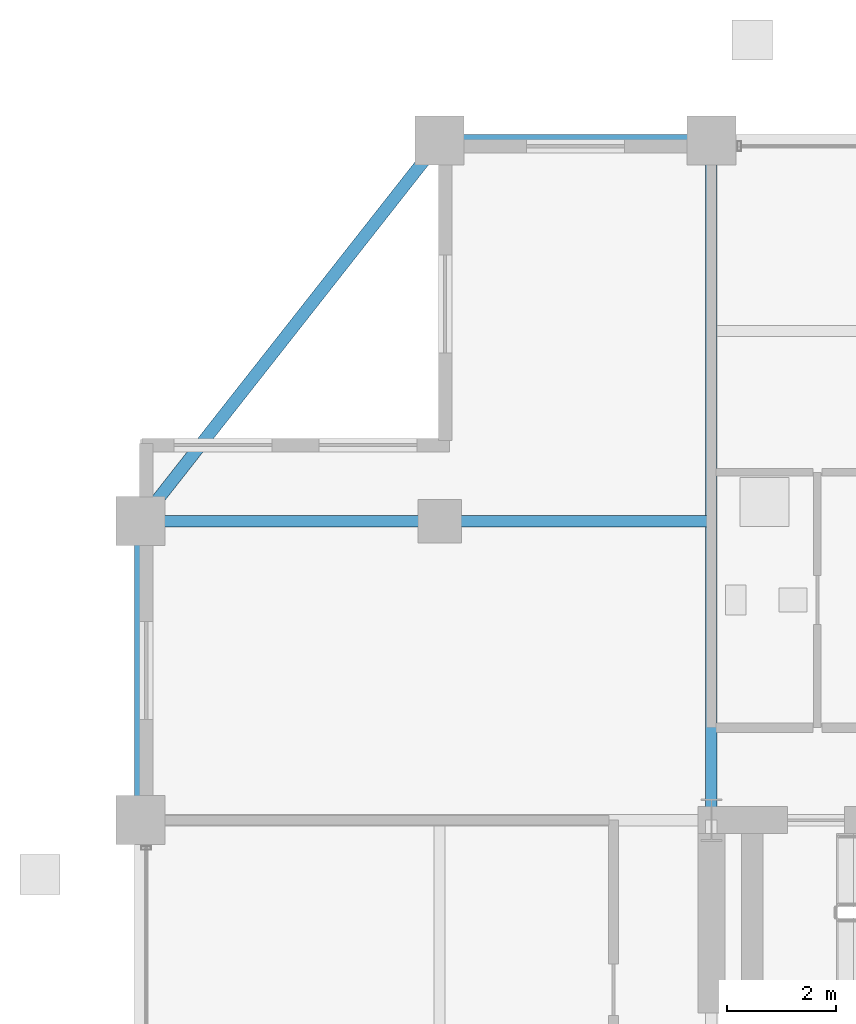
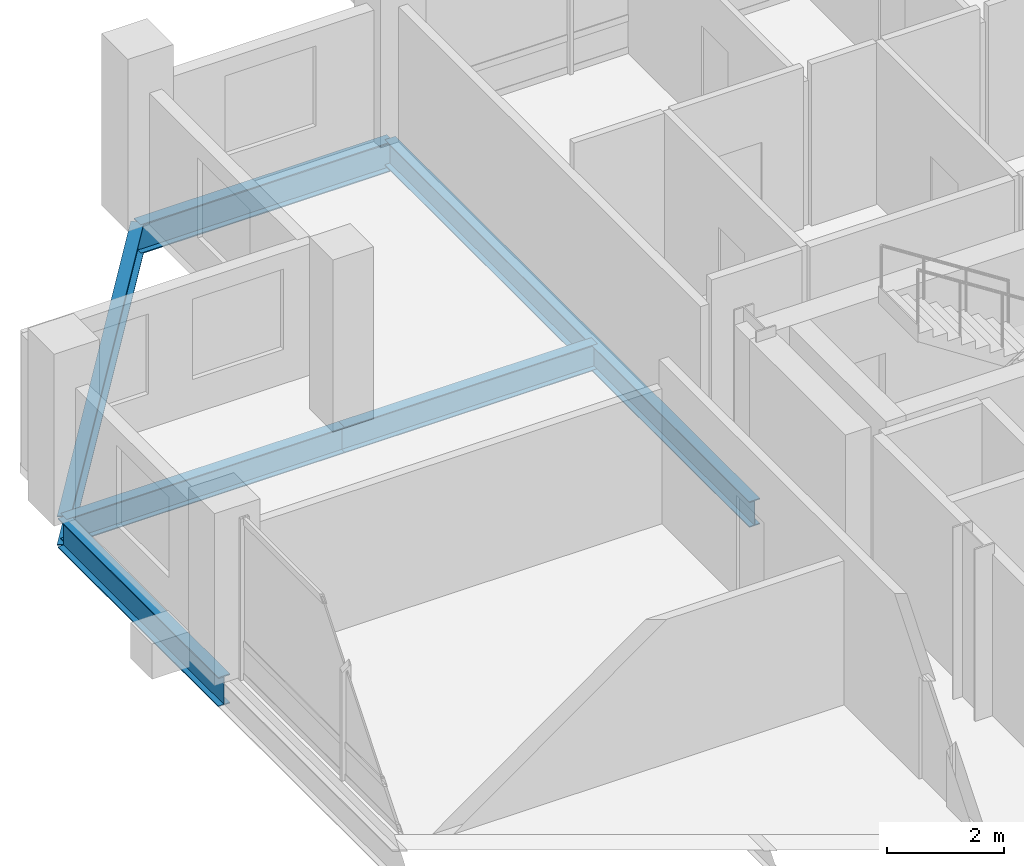
# One storey, part 11 of 21: 6 beams.
"""IFC4 building model written with IfcOpenShell, lengths in metres."""

from ifc_helpers import new_model, si_unit, direction, frame, origin, origin_2d, place, context, subcontext, project, spatial, i_section, extrude, material, material_profile, profile_set, type_object, element, save


model = new_model("IFC4")

# Units and contexts
model_context = context("Model", 3, precision=1e-05, world=origin(), true_north=direction((0.0, 1.0)))
body_context = subcontext(model_context, "Body", "Model", "MODEL_VIEW")
ifc_project = project(units=[si_unit("LENGTHUNIT", "METRE"), si_unit("AREAUNIT", "SQUARE_METRE"), si_unit("VOLUMEUNIT", "CUBIC_METRE"), si_unit("PLANEANGLEUNIT", "RADIAN"), si_unit("MASSUNIT", "GRAM", prefix="KILO")], contexts=[model_context])

# Site, building, storey
site_placement = place(None, origin())
site = spatial("IfcSite", under=ifc_project, at=site_placement, CompositionType="ELEMENT")
building_placement = place(site_placement, origin())
building = spatial("IfcBuilding", under=site, at=building_placement, Name="Barlavira Tower and Art Museum", CompositionType="ELEMENT")
storey_placement = place(building_placement, frame((0.0, 0.0, 276.300048828125)))
storey = spatial("IfcBuildingStorey", under=building, at=storey_placement, Name="L72", CompositionType="ELEMENT", Elevation=276.300048828125)

# Beams
ifc_material = material(Name="Steel S355", Category="steel")
ifc_material_profile_1 = material_profile(ifc_material, i_section(OverallWidth=0.22998046875, OverallDepth=0.616943359375, WebThickness=0.01318359375, FlangeThickness=0.022216796875, at=origin_2d()), Name="W610x140.0")
ifc_profile_set_1 = profile_set([ifc_material_profile_1], Name="Steel S355")
beam_type_1 = type_object("IfcBeamType", Name="Upper Shaft Spandrel Edge Beam W610x140 Steel S355", PredefinedType="SPANDREL", material=ifc_profile_set_1)
beam_1_placement = place(storey_placement, frame((-11.5, 20.0, -0.528564453125), z_axis=(1.0, 0.0, 0.0), x_axis=(0.0, 1.0, 0.0)))
element("IfcBeam", 1, at=beam_1_placement, inside=storey, type_object=beam_type_1, Name="L72 Spandrel 11", PredefinedType="SPANDREL", context=body_context, shape_type="SweptSolid", body=[
    extrude(i_section(OverallWidth=0.22998046875, OverallDepth=0.616943359375, WebThickness=0.01318359375, FlangeThickness=0.022216796875, at=origin_2d()), origin(), (0.0, 0.0, 1.0), 5.0),
])
beam_2_placement = place(storey_placement, frame((-11.5, 20.0, -0.528564453125), z_axis=(-0.617821551932, -0.786318338822, 0.0), x_axis=(0.786318338822, -0.617821551932, 0.0)))
element("IfcBeam", 2, at=beam_2_placement, inside=storey, type_object=beam_type_1, Name="L72 Spandrel 12", PredefinedType="SPANDREL", context=body_context, shape_type="SweptSolid", body=[
    extrude(i_section(OverallWidth=0.22998046875, OverallDepth=0.616943359375, WebThickness=0.01318359375, FlangeThickness=0.022216796875, at=origin_2d()), origin(), (0.0, 0.0, 1.0), 8.90234375),
])
beam_3_placement = place(storey_placement, frame((-17.0, 7.5, -0.528564453125), z_axis=(0.0, 1.0, 0.0), x_axis=(-1.0, 0.0, 0.0)))
element("IfcBeam", 3, at=beam_3_placement, inside=storey, type_object=beam_type_1, Name="L72 Spandrel 13", PredefinedType="SPANDREL", context=body_context, shape_type="SweptSolid", body=[
    extrude(i_section(OverallWidth=0.22998046875, OverallDepth=0.616943359375, WebThickness=0.01318359375, FlangeThickness=0.022216796875, at=origin_2d()), origin(), (0.0, 0.0, 1.0), 5.5),
])
ifc_material_profile_2 = material_profile(ifc_material, i_section(OverallWidth=0.2109375, OverallDepth=0.5390625, WebThickness=0.01171875, FlangeThickness=0.018798828125, at=origin_2d()), Name="W530x109.0")
ifc_profile_set_2 = profile_set([ifc_material_profile_2], Name="Steel S355")
beam_type_2 = type_object("IfcBeamType", Name="Zone 3-4 Primary Floor Girder W530x109 Steel S355", PredefinedType="BEAM", material=ifc_profile_set_2)
beam_4_placement = place(storey_placement, frame((-6.5, 7.5, -0.489501953125), z_axis=(0.0, 1.0, 0.0), x_axis=(-1.0, 0.0, 0.0)))
element("IfcBeam", 4, at=beam_4_placement, inside=storey, type_object=beam_type_2, Name="L72 Girder R-N1", PredefinedType="BEAM", context=body_context, shape_type="SweptSolid", body=[
    extrude(i_section(OverallWidth=0.2109375, OverallDepth=0.5390625, WebThickness=0.01171875, FlangeThickness=0.018798828125, at=origin_2d()), origin(), (0.0, 0.0, 1.0), 12.5),
])
beam_5_placement = place(storey_placement, frame((-17.0, 13.0, -0.489501953125), z_axis=(1.0, 0.0, 0.0), x_axis=(0.0, 1.0, 0.0)))
element("IfcBeam", 5, at=beam_5_placement, inside=storey, type_object=beam_type_2, Name="L72 Girder I-N1", PredefinedType="BEAM", context=body_context, shape_type="SweptSolid", body=[
    extrude(i_section(OverallWidth=0.2109375, OverallDepth=0.5390625, WebThickness=0.01171875, FlangeThickness=0.018798828125, at=origin_2d()), origin(), (0.0, 0.0, 1.0), 5.5),
])
beam_6_placement = place(storey_placement, frame((-11.5, 13.0, -0.489501953125), z_axis=(1.0, 0.0, 0.0), x_axis=(0.0, 1.0, 0.0)))
element("IfcBeam", 6, at=beam_6_placement, inside=storey, type_object=beam_type_2, Name="L72 Girder I-N2", PredefinedType="BEAM", context=body_context, shape_type="SweptSolid", body=[
    extrude(i_section(OverallWidth=0.2109375, OverallDepth=0.5390625, WebThickness=0.01171875, FlangeThickness=0.018798828125, at=origin_2d()), origin(), (0.0, 0.0, 1.0), 5.0),
])

save(model, "model.ifc")
